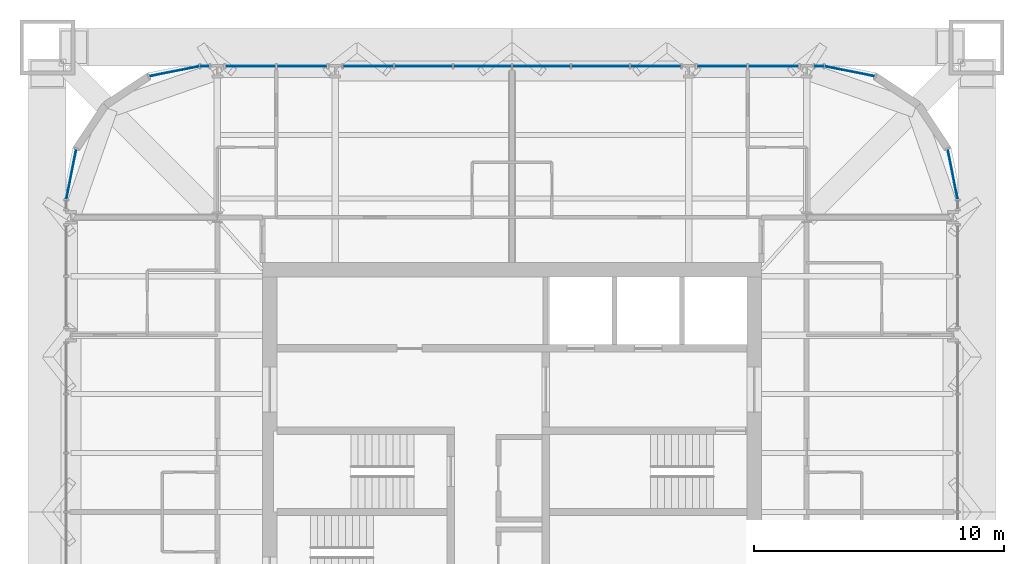
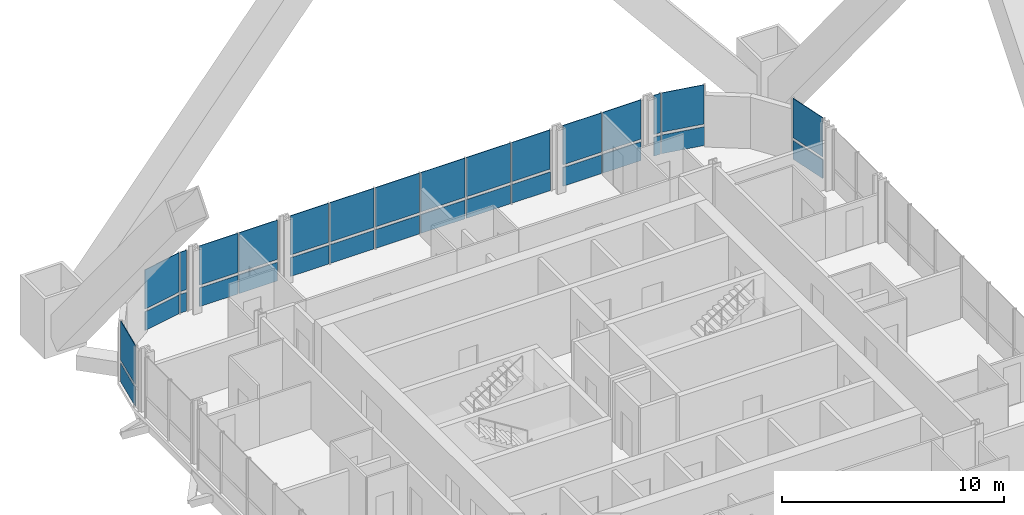
# One storey, part 18 of 23: 32 plates, 9 elements without a shape of their own.
"""IFC4 building model written with IfcOpenShell, lengths in metres."""

from ifc_helpers import new_model, si_unit, direction, frame, origin, origin_2d, place, context, subcontext, project, spatial, rectangle, extrude, material, layer, layer_set, type_object, element, aggregate, save


model = new_model("IFC4")

# Units and contexts
model_context = context("Model", 3, precision=1e-05, world=origin(), true_north=direction((0.0, 1.0)))
body_context = subcontext(model_context, "Body", "Model", "MODEL_VIEW")
ifc_project = project(units=[si_unit("LENGTHUNIT", "METRE"), si_unit("AREAUNIT", "SQUARE_METRE"), si_unit("VOLUMEUNIT", "CUBIC_METRE"), si_unit("PLANEANGLEUNIT", "RADIAN"), si_unit("MASSUNIT", "GRAM", prefix="KILO")], contexts=[model_context])

# Site, building, storey
site_placement = place(None, origin())
site = spatial("IfcSite", under=ifc_project, at=site_placement, CompositionType="ELEMENT")
building_placement = place(site_placement, origin())
building = spatial("IfcBuilding", under=site, at=building_placement, Name="Turquesa Mirador Hotel Tower", CompositionType="ELEMENT")
storey_placement = place(building_placement, frame((0.0, 0.0, 226.699951171875)))
storey = spatial("IfcBuildingStorey", under=building, at=storey_placement, Name="L61", CompositionType="ELEMENT", Elevation=226.699951171875)

# Curtain wall, plate
ifc_material_1 = material(Name="Aluminium extrusion", Category="aluminium")
curtain_wall_type = type_object("IfcCurtainWallType", Name="CW-4 SUITE FRITTED CURTAIN WALL", PredefinedType="USERDEFINED", material=ifc_material_1)
curtain_wall_1_placement = place(storey_placement, origin())
curtain_wall_1 = element("IfcCurtainWall", 1, at=curtain_wall_1_placement, inside=storey, type_object=curtain_wall_type, Name="CW-4 SUITE FRITTED CURTAIN WALL L61", ObjectType="CURTAIN WALL", PredefinedType="USERDEFINED")
ifc_material_2 = material(Name="Ceramic-printed spandrel glass on an insulated back pan", Category="glass")
ifc_layer_1 = layer(ifc_material_2, 0.050048828125)
ifc_layer_set_1 = layer_set([ifc_layer_1], Name="CW PANEL SPANDREL CERAMIC")
plate_type_1 = type_object("IfcPlateType", Name="CW PANEL SPANDREL CERAMIC", PredefinedType="CURTAIN_PANEL", material=ifc_layer_set_1)
plate_1_placement = place(storey_placement, frame((72.646484375, 58.523681640625, 0.0), z_axis=(0.0, 0.0, 1.0), x_axis=(-0.195090585221, 0.980785228048, 0.0)))
plate_1 = element("IfcPlate", 2, at=plate_1_placement, type_object=plate_type_1, Name="Panel", PredefinedType="CURTAIN_PANEL", context=body_context, shape_type="SweptSolid", body=[
    extrude(rectangle(XDim=2.0224609375, YDim=0.050048828125, at=origin_2d()), origin(), (0.0, 0.0, 1.0), 1.02490234375),
])

curtain_wall_2_placement = place(storey_placement, origin())
curtain_wall_2 = element("IfcCurtainWall", 3, at=curtain_wall_2_placement, inside=storey, type_object=curtain_wall_type, Name="CW-4 SUITE FRITTED CURTAIN WALL L61", ObjectType="CURTAIN WALL", PredefinedType="USERDEFINED")
plate_2_placement = place(storey_placement, frame((68.523681640625, 62.646484375, 0.0), z_axis=(0.0, 0.0, 1.0), x_axis=(-0.980785228048, 0.195090585221, 0.0)))
plate_2 = element("IfcPlate", 4, at=plate_2_placement, type_object=plate_type_1, Name="Panel", PredefinedType="CURTAIN_PANEL", context=body_context, shape_type="SweptSolid", body=[
    extrude(rectangle(XDim=2.0224609375, YDim=0.050048828125, at=origin_2d()), origin(), (0.0, 0.0, 1.0), 1.02490234375),
])

curtain_wall_3_placement = place(storey_placement, origin())
curtain_wall_3 = element("IfcCurtainWall", 5, at=curtain_wall_3_placement, inside=storey, type_object=curtain_wall_type, Name="CW-4 SUITE FRITTED CURTAIN WALL L61", ObjectType="CURTAIN WALL", PredefinedType="USERDEFINED")
plate_3_placement = place(storey_placement, frame((67.300048828125, 62.85009765625, 0.0), z_axis=(0.0, 0.0, 1.0), x_axis=(-1.0, 0.0, 0.0)))
plate_3 = element("IfcPlate", 6, at=plate_3_placement, type_object=plate_type_1, Name="Panel", PredefinedType="CURTAIN_PANEL", context=body_context, shape_type="SweptSolid", body=[
    extrude(rectangle(XDim=0.3349609375, YDim=0.050048828125, at=origin_2d()), origin(), (0.0, 0.0, 1.0), 1.02490234375),
])

# Curtain wall, plates
curtain_wall_4_placement = place(storey_placement, origin())
curtain_wall_4 = element("IfcCurtainWall", 7, at=curtain_wall_4_placement, inside=storey, type_object=curtain_wall_type, Name="CW-4 SUITE FRITTED CURTAIN WALL L61", ObjectType="CURTAIN WALL", PredefinedType="USERDEFINED")
plate_4_placement = place(storey_placement, frame((65.469970703125, 62.85009765625, 0.0), z_axis=(0.0, 0.0, 1.0), x_axis=(-1.0, 0.0, 0.0)))
plate_4 = element("IfcPlate", 8, at=plate_4_placement, type_object=plate_type_1, Name="Panel", PredefinedType="CURTAIN_PANEL", context=body_context, shape_type="SweptSolid", body=[
    extrude(rectangle(XDim=1.9951171875, YDim=0.050048828125, at=origin_2d()), origin(), (0.0, 0.0, 1.0), 1.02490234375),
])
plate_5_placement = place(storey_placement, frame((63.409912109375, 62.85009765625, 0.0), z_axis=(0.0, 0.0, 1.0), x_axis=(-1.0, 0.0, 0.0)))
plate_5 = element("IfcPlate", 9, at=plate_5_placement, type_object=plate_type_1, Name="Panel", PredefinedType="CURTAIN_PANEL", context=body_context, shape_type="SweptSolid", body=[
    extrude(rectangle(XDim=1.9951171875, YDim=0.050048828125, at=origin_2d()), origin(), (0.0, 0.0, 1.0), 1.02490234375),
])

curtain_wall_5_placement = place(storey_placement, origin())
curtain_wall_5 = element("IfcCurtainWall", 10, at=curtain_wall_5_placement, inside=storey, type_object=curtain_wall_type, Name="CW-4 SUITE FRITTED CURTAIN WALL L61", ObjectType="CURTAIN WALL", PredefinedType="USERDEFINED")
plate_6_placement = place(storey_placement, frame((60.75, 62.85009765625, 0.0), z_axis=(0.0, 0.0, 1.0), x_axis=(-1.0, 0.0, 0.0)))
plate_6 = element("IfcPlate", 11, at=plate_6_placement, type_object=plate_type_1, Name="Panel", PredefinedType="CURTAIN_PANEL", context=body_context, shape_type="SweptSolid", body=[
    extrude(rectangle(XDim=1.9951171875, YDim=0.050048828125, at=origin_2d()), origin(), (0.0, 0.0, 1.0), 1.02490234375),
])
plate_7_placement = place(storey_placement, frame((58.5400390625, 62.85009765625, 0.0), z_axis=(0.0, 0.0, 1.0), x_axis=(-1.0, 0.0, 0.0)))
plate_7 = element("IfcPlate", 12, at=plate_7_placement, type_object=plate_type_1, Name="Panel", PredefinedType="CURTAIN_PANEL", context=body_context, shape_type="SweptSolid", body=[
    extrude(rectangle(XDim=2.294921875, YDim=0.050048828125, at=origin_2d()), origin(), (0.0, 0.0, 1.0), 1.02490234375),
])
plate_8_placement = place(storey_placement, frame((56.179931640625, 62.85009765625, 0.0), z_axis=(0.0, 0.0, 1.0), x_axis=(-1.0, 0.0, 0.0)))
plate_8 = element("IfcPlate", 13, at=plate_8_placement, type_object=plate_type_1, Name="Panel", PredefinedType="CURTAIN_PANEL", context=body_context, shape_type="SweptSolid", body=[
    extrude(rectangle(XDim=2.294921875, YDim=0.050048828125, at=origin_2d()), origin(), (0.0, 0.0, 1.0), 1.02490234375),
])
plate_9_placement = place(storey_placement, frame((53.820068359375, 62.85009765625, 0.0), z_axis=(0.0, 0.0, 1.0), x_axis=(-1.0, 0.0, 0.0)))
plate_9 = element("IfcPlate", 14, at=plate_9_placement, type_object=plate_type_1, Name="Panel", PredefinedType="CURTAIN_PANEL", context=body_context, shape_type="SweptSolid", body=[
    extrude(rectangle(XDim=2.294921875, YDim=0.050048828125, at=origin_2d()), origin(), (0.0, 0.0, 1.0), 1.02490234375),
])
plate_10_placement = place(storey_placement, frame((51.4599609375, 62.85009765625, 0.0), z_axis=(0.0, 0.0, 1.0), x_axis=(-1.0, 0.0, 0.0)))
plate_10 = element("IfcPlate", 15, at=plate_10_placement, type_object=plate_type_1, Name="Panel", PredefinedType="CURTAIN_PANEL", context=body_context, shape_type="SweptSolid", body=[
    extrude(rectangle(XDim=2.294921875, YDim=0.050048828125, at=origin_2d()), origin(), (0.0, 0.0, 1.0), 1.02490234375),
])
plate_11_placement = place(storey_placement, frame((49.25, 62.85009765625, 0.0), z_axis=(0.0, 0.0, 1.0), x_axis=(-1.0, 0.0, 0.0)))
plate_11 = element("IfcPlate", 16, at=plate_11_placement, type_object=plate_type_1, Name="Panel", PredefinedType="CURTAIN_PANEL", context=body_context, shape_type="SweptSolid", body=[
    extrude(rectangle(XDim=1.9951171875, YDim=0.050048828125, at=origin_2d()), origin(), (0.0, 0.0, 1.0), 1.02490234375),
])

curtain_wall_6_placement = place(storey_placement, origin())
curtain_wall_6 = element("IfcCurtainWall", 17, at=curtain_wall_6_placement, inside=storey, type_object=curtain_wall_type, Name="CW-4 SUITE FRITTED CURTAIN WALL L61", ObjectType="CURTAIN WALL", PredefinedType="USERDEFINED")
plate_12_placement = place(storey_placement, frame((46.590087890625, 62.85009765625, 0.0), z_axis=(0.0, 0.0, 1.0), x_axis=(-1.0, 0.0, 0.0)))
plate_12 = element("IfcPlate", 18, at=plate_12_placement, type_object=plate_type_1, Name="Panel", PredefinedType="CURTAIN_PANEL", context=body_context, shape_type="SweptSolid", body=[
    extrude(rectangle(XDim=1.9951171875, YDim=0.050048828125, at=origin_2d()), origin(), (0.0, 0.0, 1.0), 1.02490234375),
])
plate_13_placement = place(storey_placement, frame((44.530029296875, 62.85009765625, 0.0), z_axis=(0.0, 0.0, 1.0), x_axis=(-1.0, 0.0, 0.0)))
plate_13 = element("IfcPlate", 19, at=plate_13_placement, type_object=plate_type_1, Name="Panel", PredefinedType="CURTAIN_PANEL", context=body_context, shape_type="SweptSolid", body=[
    extrude(rectangle(XDim=1.9951171875, YDim=0.050048828125, at=origin_2d()), origin(), (0.0, 0.0, 1.0), 1.02490234375),
])

# Curtain wall, plate
curtain_wall_7_placement = place(storey_placement, origin())
curtain_wall_7 = element("IfcCurtainWall", 20, at=curtain_wall_7_placement, inside=storey, type_object=curtain_wall_type, Name="CW-4 SUITE FRITTED CURTAIN WALL L61", ObjectType="CURTAIN WALL", PredefinedType="USERDEFINED")
plate_14_placement = place(storey_placement, frame((42.699951171875, 62.85009765625, 0.0), z_axis=(0.0, 0.0, 1.0), x_axis=(-1.0, 0.0, 0.0)))
plate_14 = element("IfcPlate", 21, at=plate_14_placement, type_object=plate_type_1, Name="Panel", PredefinedType="CURTAIN_PANEL", context=body_context, shape_type="SweptSolid", body=[
    extrude(rectangle(XDim=0.3349609375, YDim=0.050048828125, at=origin_2d()), origin(), (0.0, 0.0, 1.0), 1.02490234375),
])

curtain_wall_8_placement = place(storey_placement, origin())
curtain_wall_8 = element("IfcCurtainWall", 22, at=curtain_wall_8_placement, inside=storey, type_object=curtain_wall_type, Name="CW-4 SUITE FRITTED CURTAIN WALL L61", ObjectType="CURTAIN WALL", PredefinedType="USERDEFINED")
plate_15_placement = place(storey_placement, frame((41.476318359375, 62.646484375, 0.0), z_axis=(0.0, 0.0, 1.0), x_axis=(-0.980785228048, -0.195090585221, 0.0)))
plate_15 = element("IfcPlate", 23, at=plate_15_placement, type_object=plate_type_1, Name="Panel", PredefinedType="CURTAIN_PANEL", context=body_context, shape_type="SweptSolid", body=[
    extrude(rectangle(XDim=2.0224609375, YDim=0.050048828125, at=origin_2d()), origin(), (0.0, 0.0, 1.0), 1.02490234375),
])

curtain_wall_9_placement = place(storey_placement, origin())
curtain_wall_9 = element("IfcCurtainWall", 24, at=curtain_wall_9_placement, inside=storey, type_object=curtain_wall_type, Name="CW-4 SUITE FRITTED CURTAIN WALL L61", ObjectType="CURTAIN WALL", PredefinedType="USERDEFINED")
plate_16_placement = place(storey_placement, frame((37.353515625, 58.523681640625, 0.0), z_axis=(0.0, 0.0, 1.0), x_axis=(-0.195090585221, -0.980785228048, 0.0)))
plate_16 = element("IfcPlate", 25, at=plate_16_placement, type_object=plate_type_1, Name="Panel", PredefinedType="CURTAIN_PANEL", context=body_context, shape_type="SweptSolid", body=[
    extrude(rectangle(XDim=2.0224609375, YDim=0.050048828125, at=origin_2d()), origin(), (0.0, 0.0, 1.0), 1.02490234375),
])

# Plate
ifc_material_3 = material(Name="Ceramic-fritted laminated glass", Category="glass")
ifc_layer_2 = layer(ifc_material_3, 0.031982421875)
ifc_layer_set_2 = layer_set([ifc_layer_2], Name="CW PANEL VISION FRITTED")
plate_type_2 = type_object("IfcPlateType", Name="CW PANEL VISION FRITTED", PredefinedType="CURTAIN_PANEL", material=ifc_layer_set_2)
plate_17_placement = place(storey_placement, frame((72.646484375, 58.523681640625, 1.1748046875), z_axis=(0.0, 0.0, 1.0), x_axis=(-0.195090585221, 0.980785228048, 0.0)))
plate_17 = element("IfcPlate", 26, at=plate_17_placement, type_object=plate_type_2, Name="Panel", PredefinedType="CURTAIN_PANEL", context=body_context, shape_type="SweptSolid", body=[
    extrude(rectangle(XDim=2.0224609375, YDim=0.031982421875, at=origin_2d()), origin(), (0.0, 0.0, 1.0), 2.155029296875),
])

aggregate(curtain_wall_1, [plate_1, plate_17])

plate_18_placement = place(storey_placement, frame((68.523681640625, 62.646484375, 1.1748046875), z_axis=(0.0, 0.0, 1.0), x_axis=(-0.980785228048, 0.195090585221, 0.0)))
plate_18 = element("IfcPlate", 27, at=plate_18_placement, type_object=plate_type_2, Name="Panel", PredefinedType="CURTAIN_PANEL", context=body_context, shape_type="SweptSolid", body=[
    extrude(rectangle(XDim=2.0224609375, YDim=0.031982421875, at=origin_2d()), origin(), (0.0, 0.0, 1.0), 2.155029296875),
])

aggregate(curtain_wall_2, [plate_2, plate_18])

plate_19_placement = place(storey_placement, frame((67.300048828125, 62.85009765625, 1.1748046875), z_axis=(0.0, 0.0, 1.0), x_axis=(-1.0, 0.0, 0.0)))
plate_19 = element("IfcPlate", 28, at=plate_19_placement, type_object=plate_type_2, Name="Panel", PredefinedType="CURTAIN_PANEL", context=body_context, shape_type="SweptSolid", body=[
    extrude(rectangle(XDim=0.3349609375, YDim=0.031982421875, at=origin_2d()), origin(), (0.0, 0.0, 1.0), 2.155029296875),
])

aggregate(curtain_wall_3, [plate_3, plate_19])

plate_20_placement = place(storey_placement, frame((65.469970703125, 62.85009765625, 1.1748046875), z_axis=(0.0, 0.0, 1.0), x_axis=(-1.0, 0.0, 0.0)))
plate_20 = element("IfcPlate", 29, at=plate_20_placement, type_object=plate_type_2, Name="Panel", PredefinedType="CURTAIN_PANEL", context=body_context, shape_type="SweptSolid", body=[
    extrude(rectangle(XDim=1.9951171875, YDim=0.031982421875, at=origin_2d()), origin(), (0.0, 0.0, 1.0), 2.155029296875),
])

plate_21_placement = place(storey_placement, frame((63.409912109375, 62.85009765625, 1.1748046875), z_axis=(0.0, 0.0, 1.0), x_axis=(-1.0, 0.0, 0.0)))
plate_21 = element("IfcPlate", 30, at=plate_21_placement, type_object=plate_type_2, Name="Panel", PredefinedType="CURTAIN_PANEL", context=body_context, shape_type="SweptSolid", body=[
    extrude(rectangle(XDim=1.9951171875, YDim=0.031982421875, at=origin_2d()), origin(), (0.0, 0.0, 1.0), 2.155029296875),
])

aggregate(curtain_wall_4, [plate_4, plate_20, plate_5, plate_21])

plate_22_placement = place(storey_placement, frame((60.75, 62.85009765625, 1.1748046875), z_axis=(0.0, 0.0, 1.0), x_axis=(-1.0, 0.0, 0.0)))
plate_22 = element("IfcPlate", 31, at=plate_22_placement, type_object=plate_type_2, Name="Panel", PredefinedType="CURTAIN_PANEL", context=body_context, shape_type="SweptSolid", body=[
    extrude(rectangle(XDim=1.9951171875, YDim=0.031982421875, at=origin_2d()), origin(), (0.0, 0.0, 1.0), 2.155029296875),
])

plate_23_placement = place(storey_placement, frame((58.5400390625, 62.85009765625, 1.1748046875), z_axis=(0.0, 0.0, 1.0), x_axis=(-1.0, 0.0, 0.0)))
plate_23 = element("IfcPlate", 32, at=plate_23_placement, type_object=plate_type_2, Name="Panel", PredefinedType="CURTAIN_PANEL", context=body_context, shape_type="SweptSolid", body=[
    extrude(rectangle(XDim=2.294921875, YDim=0.031982421875, at=origin_2d()), origin(), (0.0, 0.0, 1.0), 2.155029296875),
])

plate_24_placement = place(storey_placement, frame((56.179931640625, 62.85009765625, 1.1748046875), z_axis=(0.0, 0.0, 1.0), x_axis=(-1.0, 0.0, 0.0)))
plate_24 = element("IfcPlate", 33, at=plate_24_placement, type_object=plate_type_2, Name="Panel", PredefinedType="CURTAIN_PANEL", context=body_context, shape_type="SweptSolid", body=[
    extrude(rectangle(XDim=2.294921875, YDim=0.031982421875, at=origin_2d()), origin(), (0.0, 0.0, 1.0), 2.155029296875),
])

plate_25_placement = place(storey_placement, frame((53.820068359375, 62.85009765625, 1.1748046875), z_axis=(0.0, 0.0, 1.0), x_axis=(-1.0, 0.0, 0.0)))
plate_25 = element("IfcPlate", 34, at=plate_25_placement, type_object=plate_type_2, Name="Panel", PredefinedType="CURTAIN_PANEL", context=body_context, shape_type="SweptSolid", body=[
    extrude(rectangle(XDim=2.294921875, YDim=0.031982421875, at=origin_2d()), origin(), (0.0, 0.0, 1.0), 2.155029296875),
])

plate_26_placement = place(storey_placement, frame((51.4599609375, 62.85009765625, 1.1748046875), z_axis=(0.0, 0.0, 1.0), x_axis=(-1.0, 0.0, 0.0)))
plate_26 = element("IfcPlate", 35, at=plate_26_placement, type_object=plate_type_2, Name="Panel", PredefinedType="CURTAIN_PANEL", context=body_context, shape_type="SweptSolid", body=[
    extrude(rectangle(XDim=2.294921875, YDim=0.031982421875, at=origin_2d()), origin(), (0.0, 0.0, 1.0), 2.155029296875),
])

plate_27_placement = place(storey_placement, frame((49.25, 62.85009765625, 1.1748046875), z_axis=(0.0, 0.0, 1.0), x_axis=(-1.0, 0.0, 0.0)))
plate_27 = element("IfcPlate", 36, at=plate_27_placement, type_object=plate_type_2, Name="Panel", PredefinedType="CURTAIN_PANEL", context=body_context, shape_type="SweptSolid", body=[
    extrude(rectangle(XDim=1.9951171875, YDim=0.031982421875, at=origin_2d()), origin(), (0.0, 0.0, 1.0), 2.155029296875),
])

aggregate(curtain_wall_5, [plate_6, plate_22, plate_7, plate_23, plate_8, plate_24, plate_9, plate_25, plate_10, plate_26, plate_11, plate_27])

plate_28_placement = place(storey_placement, frame((46.590087890625, 62.85009765625, 1.1748046875), z_axis=(0.0, 0.0, 1.0), x_axis=(-1.0, 0.0, 0.0)))
plate_28 = element("IfcPlate", 37, at=plate_28_placement, type_object=plate_type_2, Name="Panel", PredefinedType="CURTAIN_PANEL", context=body_context, shape_type="SweptSolid", body=[
    extrude(rectangle(XDim=1.9951171875, YDim=0.031982421875, at=origin_2d()), origin(), (0.0, 0.0, 1.0), 2.155029296875),
])

plate_29_placement = place(storey_placement, frame((44.530029296875, 62.85009765625, 1.1748046875), z_axis=(0.0, 0.0, 1.0), x_axis=(-1.0, 0.0, 0.0)))
plate_29 = element("IfcPlate", 38, at=plate_29_placement, type_object=plate_type_2, Name="Panel", PredefinedType="CURTAIN_PANEL", context=body_context, shape_type="SweptSolid", body=[
    extrude(rectangle(XDim=1.9951171875, YDim=0.031982421875, at=origin_2d()), origin(), (0.0, 0.0, 1.0), 2.155029296875),
])

aggregate(curtain_wall_6, [plate_12, plate_28, plate_13, plate_29])

plate_30_placement = place(storey_placement, frame((42.699951171875, 62.85009765625, 1.1748046875), z_axis=(0.0, 0.0, 1.0), x_axis=(-1.0, 0.0, 0.0)))
plate_30 = element("IfcPlate", 39, at=plate_30_placement, type_object=plate_type_2, Name="Panel", PredefinedType="CURTAIN_PANEL", context=body_context, shape_type="SweptSolid", body=[
    extrude(rectangle(XDim=0.3349609375, YDim=0.031982421875, at=origin_2d()), origin(), (0.0, 0.0, 1.0), 2.155029296875),
])

aggregate(curtain_wall_7, [plate_14, plate_30])

plate_31_placement = place(storey_placement, frame((41.476318359375, 62.646484375, 1.1748046875), z_axis=(0.0, 0.0, 1.0), x_axis=(-0.980785228048, -0.195090585221, 0.0)))
plate_31 = element("IfcPlate", 40, at=plate_31_placement, type_object=plate_type_2, Name="Panel", PredefinedType="CURTAIN_PANEL", context=body_context, shape_type="SweptSolid", body=[
    extrude(rectangle(XDim=2.0224609375, YDim=0.031982421875, at=origin_2d()), origin(), (0.0, 0.0, 1.0), 2.155029296875),
])

aggregate(curtain_wall_8, [plate_15, plate_31])

plate_32_placement = place(storey_placement, frame((37.353515625, 58.523681640625, 1.1748046875), z_axis=(0.0, 0.0, 1.0), x_axis=(-0.195090585221, -0.980785228048, 0.0)))
plate_32 = element("IfcPlate", 41, at=plate_32_placement, type_object=plate_type_2, Name="Panel", PredefinedType="CURTAIN_PANEL", context=body_context, shape_type="SweptSolid", body=[
    extrude(rectangle(XDim=2.0224609375, YDim=0.031982421875, at=origin_2d()), origin(), (0.0, 0.0, 1.0), 2.155029296875),
])

aggregate(curtain_wall_9, [plate_16, plate_32])

save(model, "model.ifc")
